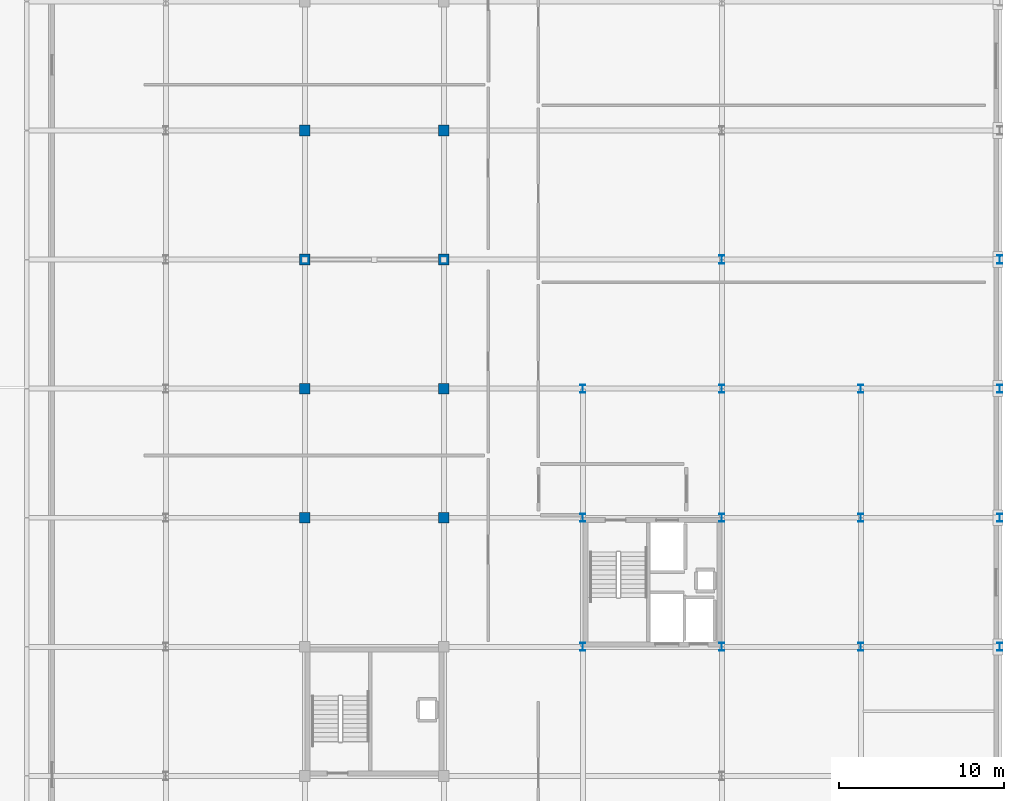
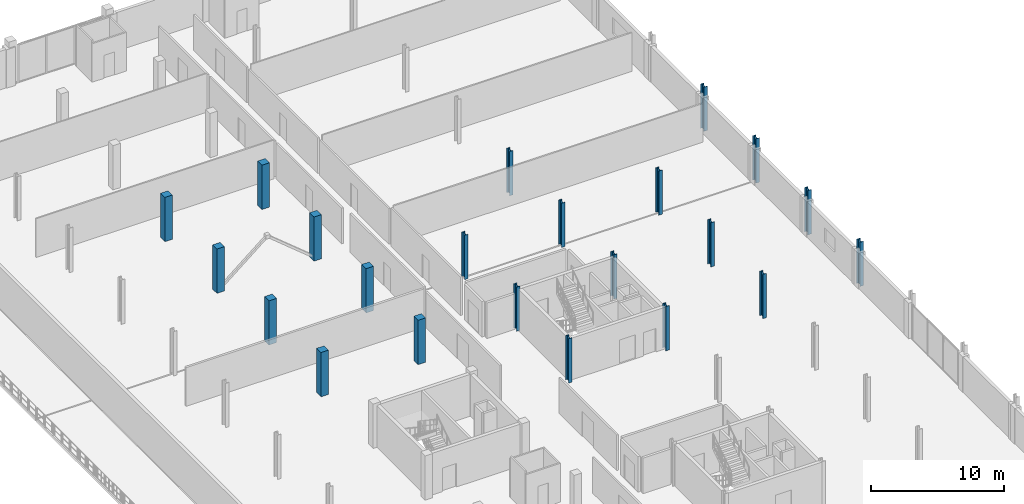
# One storey, part 6 of 41: 22 columns.
"""IFC4 building model written with IfcOpenShell, lengths in metres."""

from ifc_helpers import new_model, si_unit, direction, frame, origin, origin_2d, place, context, subcontext, project, spatial, rectangle, i_section, extrude, material, material_profile, profile_set, type_object, element, save


model = new_model("IFC4")

# Units and contexts
model_context = context("Model", 3, precision=1e-05, world=origin(), true_north=direction((0.0, 1.0)))
body_context = subcontext(model_context, "Body", "Model", "MODEL_VIEW")
ifc_project = project(units=[si_unit("LENGTHUNIT", "METRE"), si_unit("AREAUNIT", "SQUARE_METRE"), si_unit("VOLUMEUNIT", "CUBIC_METRE"), si_unit("PLANEANGLEUNIT", "RADIAN"), si_unit("MASSUNIT", "GRAM", prefix="KILO")], contexts=[model_context])

# Site, building, storey
site_placement = place(None, origin())
site = spatial("IfcSite", under=ifc_project, at=site_placement, CompositionType="ELEMENT")
building_placement = place(site_placement, origin())
building = spatial("IfcBuilding", under=site, at=building_placement, Name="Nabrawat Pavilion Hospital", CompositionType="ELEMENT")
storey_placement = place(building_placement, frame((0.0, 0.0, 18.89990234375)))
storey = spatial("IfcBuildingStorey", under=building, at=storey_placement, Name="L04", CompositionType="ELEMENT", Elevation=18.89990234375)

# Columns
ifc_material_1 = material(Name="Steel S355", Category="steel")
ifc_material_profile_1 = material_profile(ifc_material_1, i_section(OverallWidth=0.300048828125, OverallDepth=0.5, WebThickness=0.014404296875, FlangeThickness=0.028076171875, FilletRadius=0.027099609375, at=origin_2d()), Name="HEB 500")
ifc_profile_set_1 = profile_set([ifc_material_profile_1], Name="Steel S355")
column_type_1 = type_object("IfcColumnType", Name="Composite Steel Column HEB 500", PredefinedType="COLUMN", material=ifc_profile_set_1)
for number, where, z_axis, x_axis, name in (
    (1, (168.0, 70.199951171875, 0.0), (0.0, 0.0, 1.0), (1.0, 0.0, 0.0), "L04 Structural Column G-21-K"),
    (2, (168.0, 78.0, 0.0), (0.0, 0.0, 1.0), (1.0, 0.0, 0.0), "L04 Structural Column G-21-L"),
    (3, (168.0, 85.800048828125, 0.0), (0.0, 0.0, 1.0), (1.0, 0.0, 0.0), "L04 Structural Column G-21-M1"),
    (4, (176.39990234375, 70.199951171875, 0.0), (0.0, 0.0, 1.0), (1.0, 0.0, 0.0), "L04 Structural Column G-22-K"),
    (5, (176.39990234375, 78.0, 0.0), (0.0, 0.0, 1.0), (1.0, 0.0, 0.0), "L04 Structural Column G-22-L"),
    (6, (176.39990234375, 85.800048828125, 0.0), (0.0, 0.0, 1.0), (1.0, 0.0, 0.0), "L04 Structural Column G-22-M1"),
    (7, (176.39990234375, 93.60009765625, 0.0), (0.0, 0.0, 1.0), (1.0, 0.0, 0.0), "L04 Structural Column G-22-N"),
    (8, (184.800048828125, 70.199951171875, 0.0), (0.0, 0.0, 1.0), (1.0, 0.0, 0.0), "L04 Structural Column G-23-K"),
    (9, (184.800048828125, 78.0, 0.0), (0.0, 0.0, 1.0), (1.0, 0.0, 0.0), "L04 Structural Column G-23-L"),
    (10, (184.800048828125, 85.800048828125, 0.0), (0.0, 0.0, 1.0), (1.0, 0.0, 0.0), "L04 Structural Column G-23-M1"),
    (11, (193.199951171875, 70.199951171875, 0.0), (0.0, 0.0, 1.0), (1.0, 0.0, 0.0), "L04 Structural Column G-24-K"),
    (12, (193.199951171875, 78.0, 0.0), (0.0, 0.0, 1.0), (1.0, 0.0, 0.0), "L04 Structural Column G-24-L"),
    (13, (193.199951171875, 85.800048828125, 0.0), (0.0, 0.0, 1.0), (1.0, 0.0, 0.0), "L04 Structural Column G-24-M1"),
    (14, (193.199951171875, 93.60009765625, 0.0), (0.0, 0.0, 1.0), (1.0, 0.0, 0.0), "L04 Structural Column G-24-N"),
):
    element("IfcColumn", number, at=place(storey_placement, frame(where, z_axis=z_axis, x_axis=x_axis)), inside=storey, type_object=column_type_1, Name=name, PredefinedType="COLUMN", context=body_context, shape_type="SweptSolid", body=[
        extrude(i_section(OverallWidth=0.300048828125, OverallDepth=0.5, WebThickness=0.014404296875, FlangeThickness=0.028076171875, FilletRadius=0.027099609375, at=origin_2d()), origin(), (0.0, 0.0, 1.0), 4.050048828125),
    ])
ifc_material_2 = material(Name="Concrete C40/50", Category="concrete")
ifc_material_profile_2 = material_profile(ifc_material_2, rectangle(XDim=0.64990234375, YDim=0.64990234375, at=origin_2d()), Name="RC 650x650")
ifc_profile_set_2 = profile_set([ifc_material_profile_2], Name="Concrete C40/50")
column_type_2 = type_object("IfcColumnType", Name="Outpatient RC Column 650x650", PredefinedType="COLUMN", material=ifc_profile_set_2)
for number, where, z_axis, x_axis, name in (
    (15, (151.199951171875, 78.0, 0.0), (0.0, 0.0, 1.0), (1.0, 0.0, 0.0), "L04 Structural Column G-19-L"),
    (16, (151.199951171875, 85.800048828125, 0.0), (0.0, 0.0, 1.0), (1.0, 0.0, 0.0), "L04 Structural Column G-19-M1"),
    (17, (151.199951171875, 93.60009765625, 0.0), (0.0, 0.0, 1.0), (1.0, 0.0, 0.0), "L04 Structural Column G-19-N"),
    (18, (151.199951171875, 101.39990234375, 0.0), (0.0, 0.0, 1.0), (1.0, 0.0, 0.0), "L04 Structural Column G-19-P"),
    (19, (159.60009765625, 78.0, 0.0), (0.0, 0.0, 1.0), (1.0, 0.0, 0.0), "L04 Structural Column G-20-L"),
    (20, (159.60009765625, 85.800048828125, 0.0), (0.0, 0.0, 1.0), (1.0, 0.0, 0.0), "L04 Structural Column G-20-M1"),
    (21, (159.60009765625, 93.60009765625, 0.0), (0.0, 0.0, 1.0), (1.0, 0.0, 0.0), "L04 Structural Column G-20-N"),
    (22, (159.60009765625, 101.39990234375, 0.0), (0.0, 0.0, 1.0), (1.0, 0.0, 0.0), "L04 Structural Column G-20-P"),
):
    element("IfcColumn", number, at=place(storey_placement, frame(where, z_axis=z_axis, x_axis=x_axis)), inside=storey, type_object=column_type_2, Name=name, PredefinedType="COLUMN", context=body_context, shape_type="SweptSolid", body=[
        extrude(rectangle(XDim=0.64990234375, YDim=0.64990234375, at=origin_2d()), origin(), (0.0, 0.0, 1.0), 4.050048828125),
    ])

save(model, "model.ifc")
